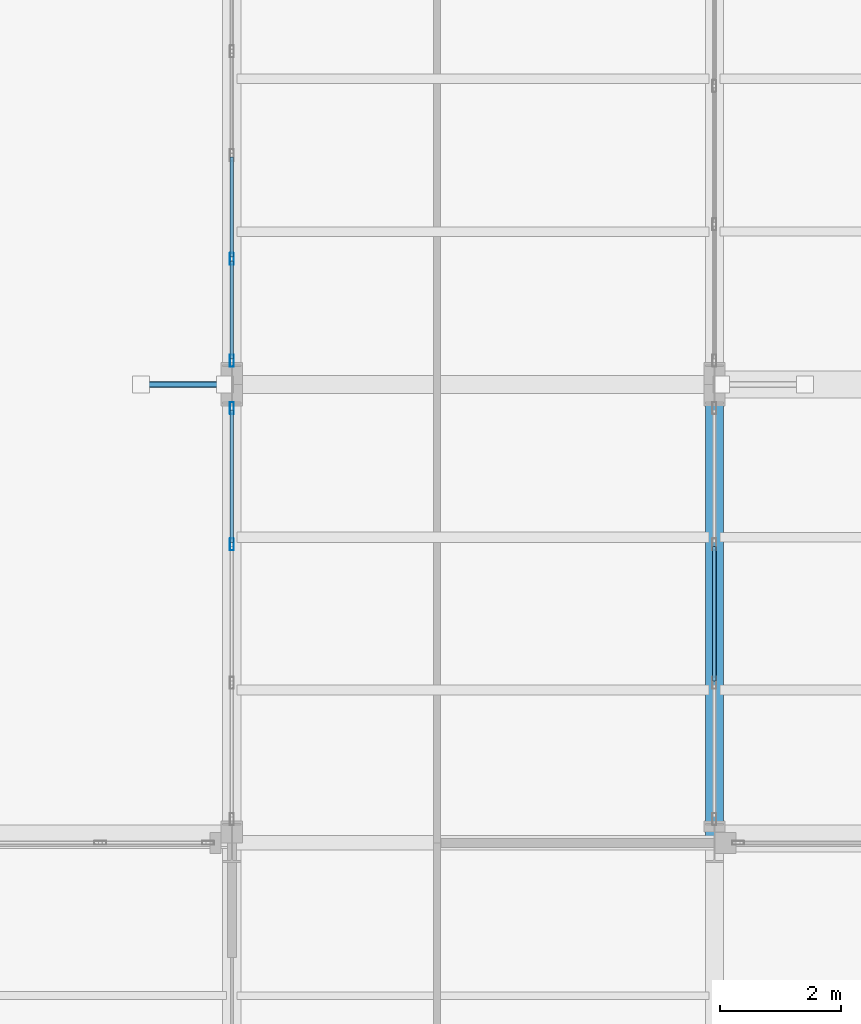
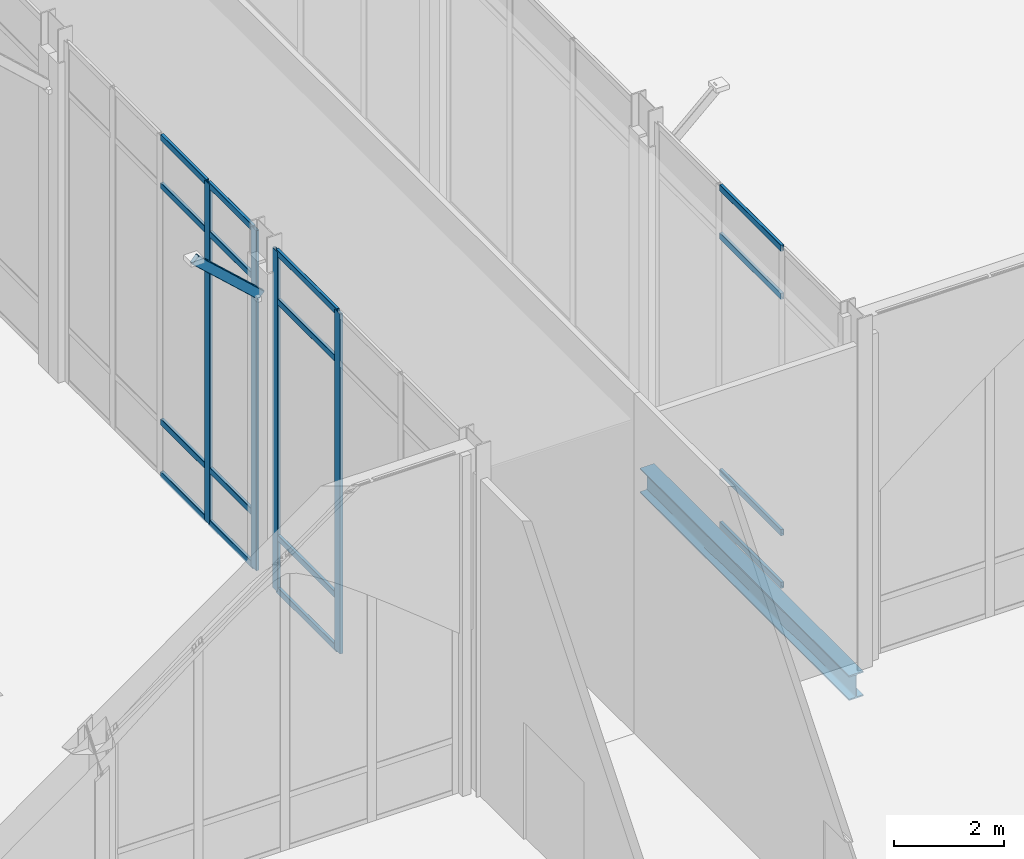
# One storey, part 34 of 176: 21 members, 1 beam, 3 elements without a shape of their own.
"""IFC4 building model written with IfcOpenShell, lengths in metres."""

from ifc_helpers import new_model, si_unit, direction, frame, origin, origin_2d, place, context, subcontext, project, spatial, hollow_rectangle, i_section, extrude, material, layer, layer_set, material_profile, profile_set, type_object, element, aggregate, save


model = new_model("IFC4")

# Units and contexts
model_context = context("Model", 3, precision=1e-05, world=origin(), true_north=direction((0.0, 1.0)))
body_context = subcontext(model_context, "Body", "Model", "MODEL_VIEW")
ifc_project = project(units=[si_unit("LENGTHUNIT", "METRE"), si_unit("AREAUNIT", "SQUARE_METRE"), si_unit("VOLUMEUNIT", "CUBIC_METRE"), si_unit("PLANEANGLEUNIT", "RADIAN"), si_unit("MASSUNIT", "GRAM", prefix="KILO")], contexts=[model_context])

# Site, building, storey
site_placement = place(None, origin())
site = spatial("IfcSite", under=ifc_project, at=site_placement, CompositionType="ELEMENT")
building_placement = place(site_placement, origin())
building = spatial("IfcBuilding", under=site, at=building_placement, Name="Vekula Escarpment Museum", CompositionType="ELEMENT")
storey_placement = place(building_placement, origin())
storey = spatial("IfcBuildingStorey", under=building, at=storey_placement, Name="L01", CompositionType="ELEMENT", Elevation=0.0)

# Beam
ifc_material_1 = material(Name="Steel S355", Category="steel")
ifc_material_profile_1 = material_profile(ifc_material_1, i_section(OverallWidth=0.300048828125, OverallDepth=0.550048828125, WebThickness=0.014892578125, FlangeThickness=0.029052734375, FilletRadius=0.027099609375, at=origin_2d()), Name="HEB 550")
ifc_profile_set_1 = profile_set([ifc_material_profile_1], Name="Steel S355")
beam_type = type_object("IfcBeamType", Name="BM-GIRD-HEB550", PredefinedType="BEAM", material=ifc_profile_set_1)
beam_placement = place(storey_placement, frame((102.0, 15.199951171875, -0.574951171875), z_axis=(0.0, 1.0, 0.0), x_axis=(-1.0, 0.0, 0.0)))
element("IfcBeam", 1, at=beam_placement, inside=storey, type_object=beam_type, Name="Beam Y L01 0596", PredefinedType="BEAM", context=body_context, shape_type="SweptSolid", body=[
    extrude(i_section(OverallWidth=0.300048828125, OverallDepth=0.550048828125, WebThickness=0.014892578125, FlangeThickness=0.029052734375, FilletRadius=0.027099609375, at=origin_2d()), origin(), (0.0, 0.0, 1.0), 7.60009765625),
])

# Curtain wall, members
ifc_material_2 = material(Name="Aluminium thermally broken framing", Category="aluminium")
ifc_layer_1 = layer(ifc_material_2, 0.14990234375)
ifc_layer_set_1 = layer_set([ifc_layer_1], Name="Aluminium thermally broken framing")
curtain_wall_type_1 = type_object("IfcCurtainWallType", Name="CW-SYS-09", PredefinedType="NOTDEFINED", material=ifc_layer_set_1)
curtain_wall_1_placement = place(storey_placement, origin())
curtain_wall_1 = element("IfcCurtainWall", 2, at=curtain_wall_1_placement, inside=storey, type_object=curtain_wall_type_1, Name="Curtain Wall CW-L01-049", PredefinedType="NOTDEFINED")
ifc_material_3 = material(Name="Aluminium anodized mullion", Category="aluminium")
ifc_material_profile_2 = material_profile(ifc_material_3, hollow_rectangle(XDim=0.06494140625, YDim=0.199951171875, WallThickness=0.00390625, InnerFilletRadius=0.00390625, OuterFilletRadius=0.008056640625, at=origin_2d()), Name="ALU 200x65x4")
ifc_profile_set_2 = profile_set([ifc_material_profile_2], Name="Aluminium anodized mullion")
member_type_1 = type_object("IfcMemberType", Name="CW-MUL-200", PredefinedType="MULLION", material=ifc_profile_set_2)
member_1_placement = place(storey_placement, frame((94.0, 24.8798828125, 0.0), z_axis=(0.0, 0.0, 1.0), x_axis=(1.0, 0.0, 0.0)))
member_1 = element("IfcMember", 3, at=member_1_placement, type_object=member_type_1, Name="CW-09 mullion 4", PredefinedType="MULLION", context=body_context, shape_type="SweptSolid", body=[
    extrude(hollow_rectangle(XDim=0.06494140625, YDim=0.199951171875, WallThickness=0.00390625, InnerFilletRadius=0.00390625, OuterFilletRadius=0.008056640625, at=origin_2d()), origin(), (0.0, 0.0, 1.0), 7.5400390625),
])
member_2_placement = place(storey_placement, frame((94.0, 23.1923828125, 0.0), z_axis=(0.0, 0.0, 1.0), x_axis=(1.0, 0.0, 0.0)))
member_2 = element("IfcMember", 4, at=member_2_placement, type_object=member_type_1, Name="CW-09 mullion 5", PredefinedType="MULLION", context=body_context, shape_type="SweptSolid", body=[
    extrude(hollow_rectangle(XDim=0.06494140625, YDim=0.199951171875, WallThickness=0.00390625, InnerFilletRadius=0.00390625, OuterFilletRadius=0.008056640625, at=origin_2d()), origin(), (0.0, 0.0, 1.0), 7.5400390625),
])

ifc_material_4 = material(Name="Aluminium thermally broken framing", Category="aluminium")
ifc_layer_2 = layer(ifc_material_4, 0.169921875)
ifc_layer_set_2 = layer_set([ifc_layer_2], Name="Aluminium thermally broken framing")
curtain_wall_type_2 = type_object("IfcCurtainWallType", Name="CW-SYS-10", PredefinedType="NOTDEFINED", material=ifc_layer_set_2)
curtain_wall_2_placement = place(storey_placement, origin())
curtain_wall_2 = element("IfcCurtainWall", 5, at=curtain_wall_2_placement, inside=storey, type_object=curtain_wall_type_2, Name="Curtain Wall CW-L01-050", PredefinedType="NOTDEFINED")
member_3_placement = place(storey_placement, frame((94.0, 22.407470703125, 0.0), z_axis=(0.0, 0.0, 1.0), x_axis=(1.0, 0.0, 0.0)))
member_3 = element("IfcMember", 6, at=member_3_placement, type_object=member_type_1, Name="CW-10 mullion 1", PredefinedType="MULLION", context=body_context, shape_type="SweptSolid", body=[
    extrude(hollow_rectangle(XDim=0.06494140625, YDim=0.199951171875, WallThickness=0.00390625, InnerFilletRadius=0.00390625, OuterFilletRadius=0.008056640625, at=origin_2d()), origin(), (0.0, 0.0, 1.0), 7.5400390625),
])
member_4_placement = place(storey_placement, frame((94.0, 20.146728515625, 0.0), z_axis=(0.0, 0.0, 1.0), x_axis=(1.0, 0.0, 0.0)))
member_4 = element("IfcMember", 7, at=member_4_placement, type_object=member_type_1, Name="CW-10 mullion 2", PredefinedType="MULLION", context=body_context, shape_type="SweptSolid", body=[
    extrude(hollow_rectangle(XDim=0.06494140625, YDim=0.199951171875, WallThickness=0.00390625, InnerFilletRadius=0.00390625, OuterFilletRadius=0.008056640625, at=origin_2d()), origin(), (0.0, 0.0, 1.0), 7.5400390625),
])

ifc_material_5 = material(Name="Aluminium thermally broken framing", Category="aluminium")
ifc_layer_3 = layer(ifc_material_5, 0.199951171875)
ifc_layer_set_3 = layer_set([ifc_layer_3], Name="Aluminium thermally broken framing")
curtain_wall_type_3 = type_object("IfcCurtainWallType", Name="CW-SYS-03", PredefinedType="NOTDEFINED", material=ifc_layer_set_3)
curtain_wall_3_placement = place(storey_placement, origin())
curtain_wall_3 = element("IfcCurtainWall", 8, at=curtain_wall_3_placement, inside=storey, type_object=curtain_wall_type_3, Name="Curtain Wall CW-L01-003", PredefinedType="NOTDEFINED")
ifc_material_6 = material(Name="Aluminium anodized transom", Category="aluminium")
ifc_material_profile_3 = material_profile(ifc_material_6, hollow_rectangle(XDim=0.06494140625, YDim=0.139892578125, WallThickness=0.00390625, InnerFilletRadius=0.00390625, OuterFilletRadius=0.008056640625, at=origin_2d()), Name="ALU 140x65x4")
ifc_profile_set_3 = profile_set([ifc_material_profile_3], Name="Aluminium anodized transom")
member_type_2 = type_object("IfcMemberType", Name="CW-TRN-140", PredefinedType="USERDEFINED", material=ifc_profile_set_3)
member_5_placement = place(storey_placement, frame((102.0, 17.8857421875, 0.032470703125), z_axis=(0.0, 1.0, 0.0), x_axis=(-1.0, 0.0, 0.0)))
member_5 = element("IfcMember", 9, at=member_5_placement, type_object=member_type_2, Name="CW-03 transom 2.1", ObjectType="TRANSOM", PredefinedType="USERDEFINED", context=body_context, shape_type="SweptSolid", body=[
    extrude(hollow_rectangle(XDim=0.06494140625, YDim=0.139892578125, WallThickness=0.00390625, InnerFilletRadius=0.00390625, OuterFilletRadius=0.008056640625, at=origin_2d()), origin(), (0.0, 0.0, 1.0), 2.228515625),
])
member_6_placement = place(storey_placement, frame((102.0, 17.8857421875, 1.199951171875), z_axis=(0.0, 1.0, 0.0), x_axis=(-1.0, 0.0, 0.0)))
member_6 = element("IfcMember", 10, at=member_6_placement, type_object=member_type_2, Name="CW-03 transom 2.2", ObjectType="TRANSOM", PredefinedType="USERDEFINED", context=body_context, shape_type="SweptSolid", body=[
    extrude(hollow_rectangle(XDim=0.06494140625, YDim=0.139892578125, WallThickness=0.00390625, InnerFilletRadius=0.00390625, OuterFilletRadius=0.008056640625, at=origin_2d()), origin(), (0.0, 0.0, 1.0), 2.228515625),
])
member_7_placement = place(storey_placement, frame((102.0, 17.8857421875, 6.43994140625), z_axis=(0.0, 1.0, 0.0), x_axis=(-1.0, 0.0, 0.0)))
member_7 = element("IfcMember", 11, at=member_7_placement, type_object=member_type_2, Name="CW-03 transom 2.3", ObjectType="TRANSOM", PredefinedType="USERDEFINED", context=body_context, shape_type="SweptSolid", body=[
    extrude(hollow_rectangle(XDim=0.06494140625, YDim=0.139892578125, WallThickness=0.00390625, InnerFilletRadius=0.00390625, OuterFilletRadius=0.008056640625, at=origin_2d()), origin(), (0.0, 0.0, 1.0), 2.228515625),
])
member_8_placement = place(storey_placement, frame((102.0, 17.8857421875, 7.507568359375), z_axis=(0.0, 1.0, 0.0), x_axis=(-1.0, 0.0, 0.0)))
member_8 = element("IfcMember", 12, at=member_8_placement, type_object=member_type_2, Name="CW-03 transom 2.4", ObjectType="TRANSOM", PredefinedType="USERDEFINED", context=body_context, shape_type="SweptSolid", body=[
    extrude(hollow_rectangle(XDim=0.06494140625, YDim=0.139892578125, WallThickness=0.00390625, InnerFilletRadius=0.00390625, OuterFilletRadius=0.008056640625, at=origin_2d()), origin(), (0.0, 0.0, 1.0), 2.228515625),
])
aggregate(curtain_wall_3, [member_5, member_6, member_7, member_8])

# Member
member_9_placement = place(storey_placement, frame((94.0, 26.5673828125, 0.032470703125), z_axis=(0.0, -1.0, 0.0), x_axis=(1.0, 0.0, 0.0)))
member_9 = element("IfcMember", 13, at=member_9_placement, type_object=member_type_2, Name="CW-09 transom 3.1", ObjectType="TRANSOM", PredefinedType="USERDEFINED", context=body_context, shape_type="SweptSolid", body=[
    extrude(hollow_rectangle(XDim=0.06494140625, YDim=0.139892578125, WallThickness=0.00390625, InnerFilletRadius=0.00390625, OuterFilletRadius=0.008056640625, at=origin_2d()), origin(), (0.0, 0.0, 1.0), 1.65478515625),
])

member_10_placement = place(storey_placement, frame((94.0, 26.5673828125, 1.199951171875), z_axis=(0.0, -1.0, 0.0), x_axis=(1.0, 0.0, 0.0)))
member_10 = element("IfcMember", 14, at=member_10_placement, type_object=member_type_2, Name="CW-09 transom 3.2", ObjectType="TRANSOM", PredefinedType="USERDEFINED", context=body_context, shape_type="SweptSolid", body=[
    extrude(hollow_rectangle(XDim=0.06494140625, YDim=0.139892578125, WallThickness=0.00390625, InnerFilletRadius=0.00390625, OuterFilletRadius=0.008056640625, at=origin_2d()), origin(), (0.0, 0.0, 1.0), 1.65478515625),
])

member_11_placement = place(storey_placement, frame((94.0, 26.5673828125, 6.43994140625), z_axis=(0.0, -1.0, 0.0), x_axis=(1.0, 0.0, 0.0)))
member_11 = element("IfcMember", 15, at=member_11_placement, type_object=member_type_2, Name="CW-09 transom 3.3", ObjectType="TRANSOM", PredefinedType="USERDEFINED", context=body_context, shape_type="SweptSolid", body=[
    extrude(hollow_rectangle(XDim=0.06494140625, YDim=0.139892578125, WallThickness=0.00390625, InnerFilletRadius=0.00390625, OuterFilletRadius=0.008056640625, at=origin_2d()), origin(), (0.0, 0.0, 1.0), 1.65478515625),
])

member_12_placement = place(storey_placement, frame((94.0, 26.5673828125, 7.507568359375), z_axis=(0.0, -1.0, 0.0), x_axis=(1.0, 0.0, 0.0)))
member_12 = element("IfcMember", 16, at=member_12_placement, type_object=member_type_2, Name="CW-09 transom 3.4", ObjectType="TRANSOM", PredefinedType="USERDEFINED", context=body_context, shape_type="SweptSolid", body=[
    extrude(hollow_rectangle(XDim=0.06494140625, YDim=0.139892578125, WallThickness=0.00390625, InnerFilletRadius=0.00390625, OuterFilletRadius=0.008056640625, at=origin_2d()), origin(), (0.0, 0.0, 1.0), 1.65478515625),
])

member_13_placement = place(storey_placement, frame((94.0, 24.847412109375, 0.032470703125), z_axis=(0.0, -1.0, 0.0), x_axis=(1.0, 0.0, 0.0)))
member_13 = element("IfcMember", 17, at=member_13_placement, type_object=member_type_2, Name="CW-09 transom 4.1", ObjectType="TRANSOM", PredefinedType="USERDEFINED", context=body_context, shape_type="SweptSolid", body=[
    extrude(hollow_rectangle(XDim=0.06494140625, YDim=0.139892578125, WallThickness=0.00390625, InnerFilletRadius=0.00390625, OuterFilletRadius=0.008056640625, at=origin_2d()), origin(), (0.0, 0.0, 1.0), 1.622314453125),
])

member_14_placement = place(storey_placement, frame((94.0, 24.847412109375, 1.199951171875), z_axis=(0.0, -1.0, 0.0), x_axis=(1.0, 0.0, 0.0)))
member_14 = element("IfcMember", 18, at=member_14_placement, type_object=member_type_2, Name="CW-09 transom 4.2", ObjectType="TRANSOM", PredefinedType="USERDEFINED", context=body_context, shape_type="SweptSolid", body=[
    extrude(hollow_rectangle(XDim=0.06494140625, YDim=0.139892578125, WallThickness=0.00390625, InnerFilletRadius=0.00390625, OuterFilletRadius=0.008056640625, at=origin_2d()), origin(), (0.0, 0.0, 1.0), 1.622314453125),
])

member_15_placement = place(storey_placement, frame((94.0, 24.847412109375, 6.43994140625), z_axis=(0.0, -1.0, 0.0), x_axis=(1.0, 0.0, 0.0)))
member_15 = element("IfcMember", 19, at=member_15_placement, type_object=member_type_2, Name="CW-09 transom 4.3", ObjectType="TRANSOM", PredefinedType="USERDEFINED", context=body_context, shape_type="SweptSolid", body=[
    extrude(hollow_rectangle(XDim=0.06494140625, YDim=0.139892578125, WallThickness=0.00390625, InnerFilletRadius=0.00390625, OuterFilletRadius=0.008056640625, at=origin_2d()), origin(), (0.0, 0.0, 1.0), 1.622314453125),
])

member_16_placement = place(storey_placement, frame((94.0, 24.847412109375, 7.507568359375), z_axis=(0.0, -1.0, 0.0), x_axis=(1.0, 0.0, 0.0)))
member_16 = element("IfcMember", 20, at=member_16_placement, type_object=member_type_2, Name="CW-09 transom 4.4", ObjectType="TRANSOM", PredefinedType="USERDEFINED", context=body_context, shape_type="SweptSolid", body=[
    extrude(hollow_rectangle(XDim=0.06494140625, YDim=0.139892578125, WallThickness=0.00390625, InnerFilletRadius=0.00390625, OuterFilletRadius=0.008056640625, at=origin_2d()), origin(), (0.0, 0.0, 1.0), 1.622314453125),
])

aggregate(curtain_wall_1, [member_1, member_2, member_9, member_10, member_11, member_12, member_13, member_14, member_15, member_16])

member_17_placement = place(storey_placement, frame((94.0, 22.375, 0.032470703125), z_axis=(0.0, -1.0, 0.0), x_axis=(1.0, 0.0, 0.0)))
member_17 = element("IfcMember", 21, at=member_17_placement, type_object=member_type_2, Name="CW-10 transom 1.1", ObjectType="TRANSOM", PredefinedType="USERDEFINED", context=body_context, shape_type="SweptSolid", body=[
    extrude(hollow_rectangle(XDim=0.06494140625, YDim=0.139892578125, WallThickness=0.00390625, InnerFilletRadius=0.00390625, OuterFilletRadius=0.008056640625, at=origin_2d()), origin(), (0.0, 0.0, 1.0), 2.19580078125),
])

member_18_placement = place(storey_placement, frame((94.0, 22.375, 1.199951171875), z_axis=(0.0, -1.0, 0.0), x_axis=(1.0, 0.0, 0.0)))
member_18 = element("IfcMember", 22, at=member_18_placement, type_object=member_type_2, Name="CW-10 transom 1.2", ObjectType="TRANSOM", PredefinedType="USERDEFINED", context=body_context, shape_type="SweptSolid", body=[
    extrude(hollow_rectangle(XDim=0.06494140625, YDim=0.139892578125, WallThickness=0.00390625, InnerFilletRadius=0.00390625, OuterFilletRadius=0.008056640625, at=origin_2d()), origin(), (0.0, 0.0, 1.0), 2.19580078125),
])

member_19_placement = place(storey_placement, frame((94.0, 22.375, 6.43994140625), z_axis=(0.0, -1.0, 0.0), x_axis=(1.0, 0.0, 0.0)))
member_19 = element("IfcMember", 23, at=member_19_placement, type_object=member_type_2, Name="CW-10 transom 1.3", ObjectType="TRANSOM", PredefinedType="USERDEFINED", context=body_context, shape_type="SweptSolid", body=[
    extrude(hollow_rectangle(XDim=0.06494140625, YDim=0.139892578125, WallThickness=0.00390625, InnerFilletRadius=0.00390625, OuterFilletRadius=0.008056640625, at=origin_2d()), origin(), (0.0, 0.0, 1.0), 2.19580078125),
])

member_20_placement = place(storey_placement, frame((94.0, 22.375, 7.507568359375), z_axis=(0.0, -1.0, 0.0), x_axis=(1.0, 0.0, 0.0)))
member_20 = element("IfcMember", 24, at=member_20_placement, type_object=member_type_2, Name="CW-10 transom 1.4", ObjectType="TRANSOM", PredefinedType="USERDEFINED", context=body_context, shape_type="SweptSolid", body=[
    extrude(hollow_rectangle(XDim=0.06494140625, YDim=0.139892578125, WallThickness=0.00390625, InnerFilletRadius=0.00390625, OuterFilletRadius=0.008056640625, at=origin_2d()), origin(), (0.0, 0.0, 1.0), 2.19580078125),
])

aggregate(curtain_wall_2, [member_3, member_4, member_17, member_18, member_19, member_20])

ifc_material_7 = material(Name="Steel S355", Category="steel")
ifc_material_profile_4 = material_profile(ifc_material_7, hollow_rectangle(XDim=0.10009765625, YDim=0.199951171875, WallThickness=0.008056640625, InnerFilletRadius=0.008056640625, OuterFilletRadius=0.01611328125, at=origin_2d()), Name="RHS 200x100x8")
ifc_profile_set_4 = profile_set([ifc_material_profile_4], Name="Steel S355")
member_type_3 = type_object("IfcMemberType", Name="MB-SACAK-BRK", PredefinedType="STRUT", material=ifc_profile_set_4)
member_21_placement = place(storey_placement, frame((93.8798828125, 22.800048828125, 6.35009765625), z_axis=(-0.738454378718, 0.0, 0.674303441006), x_axis=(0.0, -1.0, 0.0)))
element("IfcMember", 25, at=member_21_placement, inside=storey, type_object=member_type_3, Name="Ottoman Sacak Eave Bracket L02-0013", PredefinedType="STRUT", context=body_context, shape_type="SweptSolid", body=[
    extrude(hollow_rectangle(XDim=0.10009765625, YDim=0.199951171875, WallThickness=0.008056640625, InnerFilletRadius=0.008056640625, OuterFilletRadius=0.01611328125, at=origin_2d()), origin(), (0.0, 0.0, 1.0), 1.86865234375),
])

save(model, "model.ifc")
